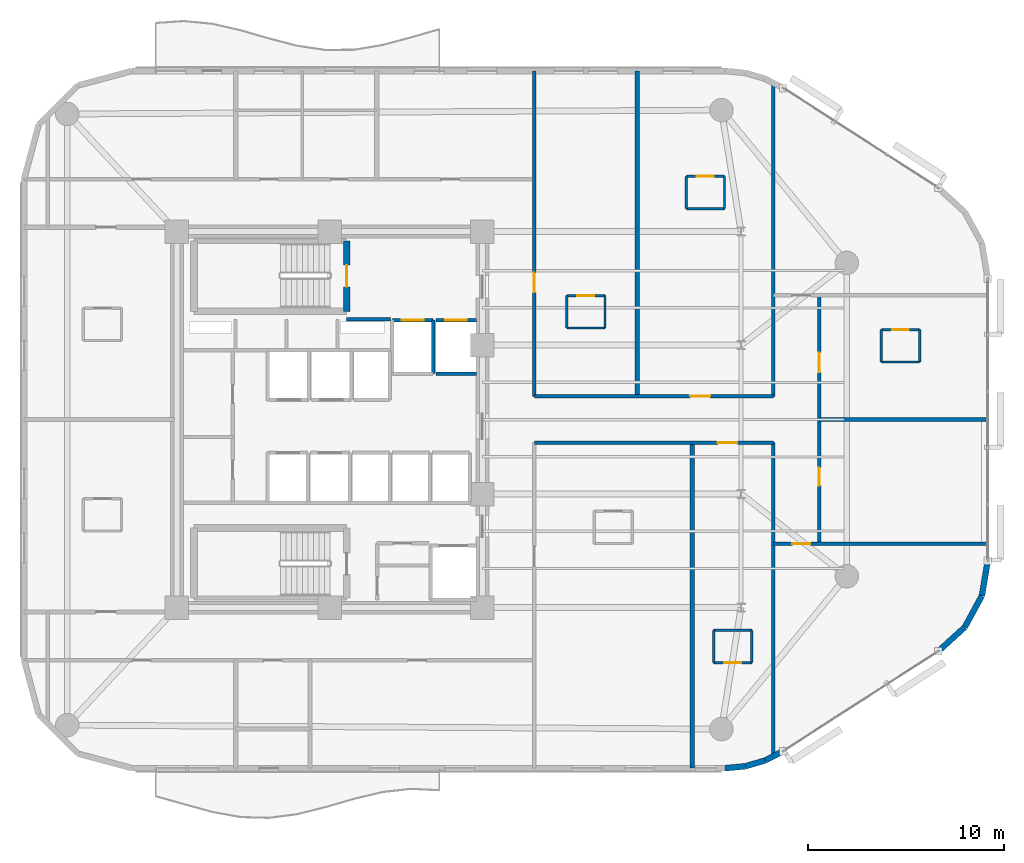
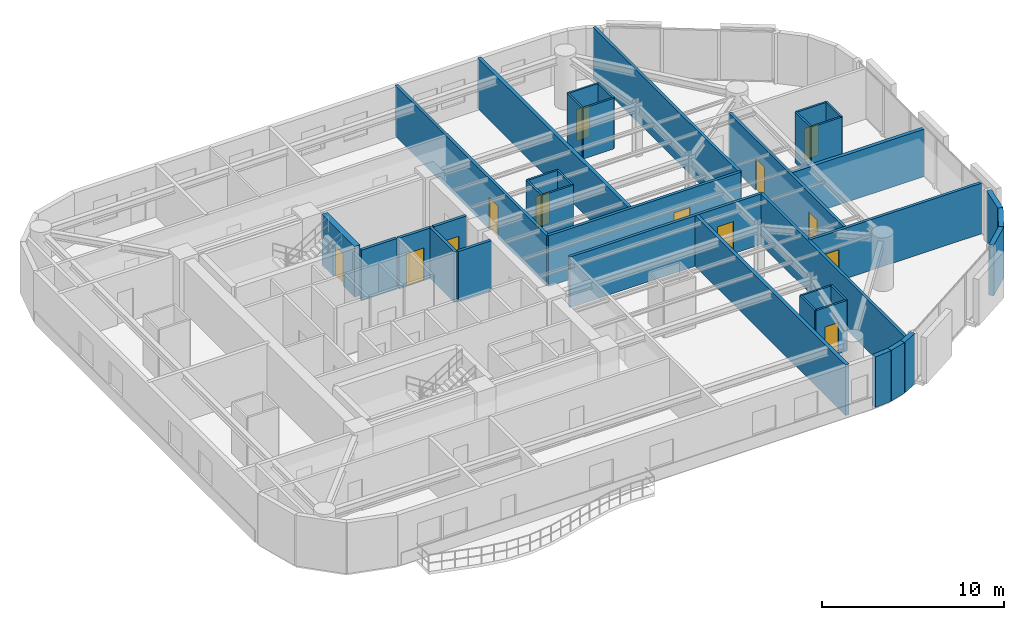
# One storey, part 12 of 15: 38 walls, 13 doors, 13 openings.
"""IFC4 building model written with IfcOpenShell, lengths in metres."""

from ifc_helpers import new_model, si_unit, direction, frame, frame_2d, origin, place, context, subcontext, project, spatial, rectangle, extrude, material, layer, layer_set, type_object, element, fill, save


model = new_model("IFC4")

# Units and contexts
model_context = context("Model", 3, precision=1e-05, world=origin(), true_north=direction((0.0, 1.0)))
body_context = subcontext(model_context, "Body", "Model", "MODEL_VIEW")
ifc_project = project(units=[si_unit("LENGTHUNIT", "METRE"), si_unit("AREAUNIT", "SQUARE_METRE"), si_unit("VOLUMEUNIT", "CUBIC_METRE"), si_unit("PLANEANGLEUNIT", "RADIAN"), si_unit("MASSUNIT", "GRAM", prefix="KILO")], contexts=[model_context])

# Site, building, storey
site_placement = place(None, origin())
site = spatial("IfcSite", under=ifc_project, at=site_placement, CompositionType="ELEMENT")
building_placement = place(site_placement, origin())
building = spatial("IfcBuilding", under=site, at=building_placement, Name="An Khanh Terracotta Commons", CompositionType="ELEMENT")
storey_placement = place(building_placement, frame((0.0, 0.0, 147.39990234375)))
storey = spatial("IfcBuildingStorey", under=building, at=storey_placement, Name="L38", CompositionType="ELEMENT", Elevation=147.39990234375)

# Wall
ifc_material_1 = material(Name="Fire-Rated Gypsum Board on Steel Stud", Category="steel")
ifc_layer_1 = layer(ifc_material_1, 0.179931640625, Name="Fire-Rated Gypsum Board on Steel Stud")
ifc_layer_set_1 = layer_set([ifc_layer_1], Name="Fire-Rated Gypsum Board on Steel Stud")
wall_type_1 = type_object("IfcWallType", Name="WALL-CORR-180", PredefinedType="PARTITIONING", material=ifc_layer_set_1)
wall_1_placement = place(storey_placement, frame((30.27001953125, 29.1201171875, 0.0), z_axis=(0.0, 0.0, 1.0), x_axis=(1.0, 0.0, 0.0)))
element("IfcWall", 1, at=wall_1_placement, inside=storey, type_object=wall_type_1, Name="L38 Core Wall FFLW-L38-S", PredefinedType="PARTITIONING", context=body_context, shape_type="SweptSolid", body=[
    extrude(rectangle(XDim=2.239990234375, YDim=0.179931640625, at=frame_2d((1.1201171875, 0.0))), origin(), (0.0, 0.0, 1.0), 3.400146484375),
])

# Wall, opening, door
wall_2_placement = place(storey_placement, frame((32.60009765625, 29.080078125, 0.0), z_axis=(0.0, 0.0, 1.0), x_axis=(1.0, 0.0, 0.0)))
wall_2 = element("IfcWall", 2, at=wall_2_placement, inside=storey, type_object=wall_type_1, Name="L38 Core Wall LSH-L38-FFL-01-N", PredefinedType="PARTITIONING", context=body_context, shape_type="SweptSolid", body=[
    extrude(rectangle(XDim=2.079833984375, YDim=0.179931640625, at=frame_2d((1.0400390625, 0.0))), origin(), (0.0, 0.0, 1.0), 3.400146484375),
])
opening_1_placement = place(wall_2_placement, frame((0.489990234375, 0.0, 0.0)))
opening_1 = element("IfcOpeningElement", 3, at=opening_1_placement, cuts=wall_2, Name="Opening LD-FFL-01-L38", PredefinedType="OPENING", context=body_context, shape_type="SweptSolid", body=[
    extrude(rectangle(XDim=1.10009765625, YDim=2.199951171875, at=frame_2d((0.550048828125, 1.10009765625))), frame((0.0, 0.099853515625, 0.0), z_axis=(0.0, -1.0, 0.0), x_axis=(1.0, 0.0, 0.0)), (0.0, 0.0, 1.0), 0.199951171875),
])
ifc_material_2 = material(Name="Brushed Stainless Steel Fire Landing Door", Category="steel")
door_type_1 = type_object("IfcDoorType", Name="DOOR-LD-FFL-1100", OperationType="NOTDEFINED", PredefinedType="DOOR", material=ifc_material_2)
door_1_placement = place(opening_1_placement, origin())
door_1 = element("IfcDoor", 4, at=door_1_placement, inside=storey, type_object=door_type_1, Name="L38 Lift FFL-01 Sliding Landing Door", OperationType="DOUBLE_DOOR_SLIDING", OverallHeight=2.199951171875, OverallWidth=1.10009765625, PredefinedType="DOOR", context=body_context, shape_type="SweptSolid", body=[
    extrude(rectangle(XDim=1.10009765625, YDim=2.199951171875, at=frame_2d((0.550048828125, 1.10009765625))), frame((0.0, 0.02490234375, 0.0), z_axis=(0.0, -1.0, 0.0), x_axis=(1.0, 0.0, 0.0)), (0.0, 0.0, 1.0), 0.050048828125),
])
fill(opening_1, door_1)

# Wall
wall_3_placement = place(storey_placement, frame((34.679931640625, 26.35009765625, 0.0), z_axis=(0.0, 0.0, 1.0), x_axis=(0.0, 1.0, 0.0)))
element("IfcWall", 5, at=wall_3_placement, inside=storey, type_object=wall_type_1, Name="L38 Core Wall LSH-L38-FFL-01-E", PredefinedType="PARTITIONING", context=body_context, shape_type="SweptSolid", body=[
    extrude(rectangle(XDim=2.72998046875, YDim=0.179931640625, at=frame_2d((1.364990234375, 0.0))), origin(), (0.0, 0.0, 1.0), 3.400146484375),
])

# Wall, opening, door
wall_4_placement = place(storey_placement, frame((34.820068359375, 29.080078125, 0.0), z_axis=(0.0, 0.0, 1.0), x_axis=(1.0, 0.0, 0.0)))
wall_4 = element("IfcWall", 6, at=wall_4_placement, inside=storey, type_object=wall_type_1, Name="L38 Core Wall LSH-L38-FFL-02-N", PredefinedType="PARTITIONING", context=body_context, shape_type="SweptSolid", body=[
    extrude(rectangle(XDim=2.079833984375, YDim=0.179931640625, at=frame_2d((1.0400390625, 0.0))), origin(), (0.0, 0.0, 1.0), 3.400146484375),
])
opening_2_placement = place(wall_4_placement, frame((0.489990234375, 0.0, 0.0)))
opening_2 = element("IfcOpeningElement", 7, at=opening_2_placement, cuts=wall_4, Name="Opening LD-FFL-02-L38", PredefinedType="OPENING", context=body_context, shape_type="SweptSolid", body=[
    extrude(rectangle(XDim=1.10009765625, YDim=2.199951171875, at=frame_2d((0.550048828125, 1.10009765625))), frame((0.0, 0.099853515625, 0.0), z_axis=(0.0, -1.0, 0.0), x_axis=(1.0, 0.0, 0.0)), (0.0, 0.0, 1.0), 0.199951171875),
])
door_2_placement = place(opening_2_placement, origin())
door_2 = element("IfcDoor", 8, at=door_2_placement, inside=storey, type_object=door_type_1, Name="L38 Lift FFL-02 Sliding Landing Door", OperationType="DOUBLE_DOOR_SLIDING", OverallHeight=2.199951171875, OverallWidth=1.10009765625, PredefinedType="DOOR", context=body_context, shape_type="SweptSolid", body=[
    extrude(rectangle(XDim=1.10009765625, YDim=2.199951171875, at=frame_2d((0.550048828125, 1.10009765625))), frame((0.0, 0.02490234375, 0.0), z_axis=(0.0, -1.0, 0.0), x_axis=(1.0, 0.0, 0.0)), (0.0, 0.0, 1.0), 0.050048828125),
])
fill(opening_2, door_2)

# Wall
wall_5_placement = place(storey_placement, frame((36.89990234375, 26.35009765625, 0.0), z_axis=(0.0, 0.0, 1.0), x_axis=(-1.0, 0.0, 0.0)))
element("IfcWall", 9, at=wall_5_placement, inside=storey, type_object=wall_type_1, Name="L38 Core Wall LSH-L38-FFL-02-S", PredefinedType="PARTITIONING", context=body_context, shape_type="SweptSolid", body=[
    extrude(rectangle(XDim=2.079833984375, YDim=0.179931640625, at=frame_2d((1.0400390625, 0.0))), origin(), (0.0, 0.0, 1.0), 3.400146484375),
])

# Wall, opening, door
wall_6_placement = place(storey_placement, frame((52.050048828125, 17.64990234375, 0.0), z_axis=(0.0, 0.0, 1.0), x_axis=(1.0, 0.0, 0.0)))
wall_6 = element("IfcWall", 10, at=wall_6_placement, inside=storey, type_object=wall_type_1, Name="L38 Interior Partition IW-L38-E004", PredefinedType="PARTITIONING", context=body_context, shape_type="SweptSolid", body=[
    extrude(rectangle(XDim=10.949951171875, YDim=0.179931640625, at=frame_2d((5.47509765625, 0.0))), origin(), (0.0, 0.0, 1.0), 3.400146484375),
])
opening_3_placement = place(wall_6_placement, frame((0.97509765625, 0.0, 0.0)))
opening_3 = element("IfcOpeningElement", 11, at=opening_3_placement, cuts=wall_6, Name="Opening D-RM", PredefinedType="OPENING", context=body_context, shape_type="SweptSolid", body=[
    extrude(rectangle(XDim=0.919921875, YDim=2.10009765625, at=frame_2d((0.4599609375, 1.050048828125))), frame((0.0, 0.099853515625, 0.0), z_axis=(0.0, -1.0, 0.0), x_axis=(1.0, 0.0, 0.0)), (0.0, 0.0, 1.0), 0.199951171875),
])
ifc_material_3 = material(Name="Engineered Hardwood Timber Leaf", Category="wood")
door_type_2 = type_object("IfcDoorType", Name="DOOR-INT-920", OperationType="NOTDEFINED", PredefinedType="DOOR", material=ifc_material_3)
door_3_placement = place(opening_3_placement, origin())
door_3 = element("IfcDoor", 12, at=door_3_placement, inside=storey, type_object=door_type_2, Name="L38 CAPS Quiet Focus Office Door", OperationType="SINGLE_SWING_RIGHT", OverallHeight=2.10009765625, OverallWidth=0.919921875, PredefinedType="DOOR", context=body_context, shape_type="SweptSolid", body=[
    extrude(rectangle(XDim=0.919921875, YDim=2.10009765625, at=frame_2d((0.4599609375, 1.050048828125))), frame((0.0, 0.02490234375, 0.0), z_axis=(0.0, -1.0, 0.0), x_axis=(1.0, 0.0, 0.0)), (0.0, 0.0, 1.0), 0.050048828125),
])
fill(opening_3, door_3)

wall_7_placement = place(storey_placement, frame((39.85009765625, 22.820068359375, 0.0), z_axis=(0.0, 0.0, 1.0), x_axis=(1.0, 0.0, 0.0)))
wall_7 = element("IfcWall", 13, at=wall_7_placement, inside=storey, type_object=wall_type_1, Name="L38 Interior Partition IW-L38-E005", PredefinedType="PARTITIONING", context=body_context, shape_type="SweptSolid", body=[
    extrude(rectangle(XDim=12.199951171875, YDim=0.179931640625, at=frame_2d((6.10009765625, 0.0))), origin(), (0.0, 0.0, 1.0), 3.400146484375),
])
opening_4_placement = place(wall_7_placement, frame((9.365966796875, 0.0, 0.0)))
opening_4 = element("IfcOpeningElement", 14, at=opening_4_placement, cuts=wall_7, Name="Opening D-UN", PredefinedType="OPENING", context=body_context, shape_type="SweptSolid", body=[
    extrude(rectangle(XDim=1.0, YDim=2.14990234375, at=frame_2d((0.5, 1.074951171875))), frame((0.0, 0.099853515625, 0.0), z_axis=(0.0, -1.0, 0.0), x_axis=(1.0, 0.0, 0.0)), (0.0, 0.0, 1.0), 0.199951171875),
])
ifc_material_4 = material(Name="Solid-Core Hardwood Acoustic Fire Door", Category="wood")
door_type_3 = type_object("IfcDoorType", Name="DOOR-UNIT-1000", OperationType="NOTDEFINED", PredefinedType="DOOR", material=ifc_material_4)
door_4_placement = place(opening_4_placement, origin())
door_4 = element("IfcDoor", 15, at=door_4_placement, inside=storey, type_object=door_type_3, Name="L38 SB2 Kitchenette and Studio Apartment Door", OperationType="SINGLE_SWING_RIGHT", OverallHeight=2.14990234375, OverallWidth=1.0, PredefinedType="DOOR", context=body_context, shape_type="SweptSolid", body=[
    extrude(rectangle(XDim=1.0, YDim=2.14990234375, at=frame_2d((0.5, 1.074951171875))), frame((0.0, 0.02490234375, 0.0), z_axis=(0.0, -1.0, 0.0), x_axis=(1.0, 0.0, 0.0)), (0.0, 0.0, 1.0), 0.050048828125),
])
fill(opening_4, door_4)

wall_8_placement = place(storey_placement, frame((39.85009765625, 25.179931640625, 0.0), z_axis=(0.0, 0.0, 1.0), x_axis=(1.0, 0.0, 0.0)))
wall_8 = element("IfcWall", 16, at=wall_8_placement, inside=storey, type_object=wall_type_1, Name="L38 Interior Partition IW-L38-E008", PredefinedType="PARTITIONING", context=body_context, shape_type="SweptSolid", body=[
    extrude(rectangle(XDim=12.199951171875, YDim=0.179931640625, at=frame_2d((6.10009765625, 0.0))), origin(), (0.0, 0.0, 1.0), 3.400146484375),
])
opening_5_placement = place(wall_8_placement, frame((7.969970703125, 0.0, 0.0)))
opening_5 = element("IfcOpeningElement", 17, at=opening_5_placement, cuts=wall_8, Name="Opening D-UN", PredefinedType="OPENING", context=body_context, shape_type="SweptSolid", body=[
    extrude(rectangle(XDim=1.0, YDim=2.14990234375, at=frame_2d((0.5, 1.074951171875))), frame((0.0, 0.099853515625, 0.0), z_axis=(0.0, -1.0, 0.0), x_axis=(1.0, 0.0, 0.0)), (0.0, 0.0, 1.0), 0.199951171875),
])
door_5_placement = place(opening_5_placement, origin())
door_5 = element("IfcDoor", 18, at=door_5_placement, inside=storey, type_object=door_type_3, Name="L38 NB2 Kitchenette and Studio Apartment Door", OperationType="SINGLE_SWING_RIGHT", OverallHeight=2.14990234375, OverallWidth=1.0, PredefinedType="DOOR", context=body_context, shape_type="SweptSolid", body=[
    extrude(rectangle(XDim=1.0, YDim=2.14990234375, at=frame_2d((0.5, 1.074951171875))), frame((0.0, 0.02490234375, 0.0), z_axis=(0.0, -1.0, 0.0), x_axis=(1.0, 0.0, 0.0)), (0.0, 0.0, 1.0), 0.050048828125),
])
fill(opening_5, door_5)

wall_9_placement = place(storey_placement, frame((39.85009765625, 25.179931640625, 0.0), z_axis=(0.0, 0.0, 1.0), x_axis=(0.0, 1.0, 0.0)))
wall_9 = element("IfcWall", 19, at=wall_9_placement, inside=storey, type_object=wall_type_1, Name="L38 Interior Partition IW-L38-E021", PredefinedType="PARTITIONING", context=body_context, shape_type="SweptSolid", body=[
    extrude(rectangle(XDim=16.6201171875, YDim=0.179931640625, at=frame_2d((8.31005859375, 0.0))), origin(), (0.0, 0.0, 1.0), 3.400146484375),
])
opening_6_placement = place(wall_9_placement, frame((5.31005859375, 0.0, 0.0)))
opening_6 = element("IfcOpeningElement", 20, at=opening_6_placement, cuts=wall_9, Name="Opening D-UN", PredefinedType="OPENING", context=body_context, shape_type="SweptSolid", body=[
    extrude(rectangle(XDim=1.0, YDim=2.14990234375, at=frame_2d((0.5, 1.074951171875))), frame((0.0, 0.099853515625, 0.0), z_axis=(0.0, -1.0, 0.0), x_axis=(1.0, 0.0, 0.0)), (0.0, 0.0, 1.0), 0.199951171875),
])
door_6_placement = place(opening_6_placement, origin())
door_6 = element("IfcDoor", 21, at=door_6_placement, inside=storey, type_object=door_type_3, Name="L38 NB1 Kitchenette and Studio Apartment Door", OperationType="SINGLE_SWING_LEFT", OverallHeight=2.14990234375, OverallWidth=1.0, PredefinedType="DOOR", context=body_context, shape_type="SweptSolid", body=[
    extrude(rectangle(XDim=1.0, YDim=2.14990234375, at=frame_2d((0.5, 1.074951171875))), frame((0.0, 0.02490234375, 0.0), z_axis=(0.0, -1.0, 0.0), x_axis=(1.0, 0.0, 0.0)), (0.0, 0.0, 1.0), 0.050048828125),
])
fill(opening_6, door_6)

# Walls
for number, where, z_axis, x_axis, name in (
    (22, (52.050048828125, 6.81201171875, 0.0), (0.0, 0.0, 1.0), (0.0, 1.0, 0.0), "L38 Interior Partition IW-L38-E024"),
    (23, (52.050048828125, 25.179931640625, 0.0), (0.0, 0.0, 1.0), (0.0, 1.0, 0.0), "L38 Interior Partition IW-L38-E025"),
):
    element("IfcWall", number, at=place(storey_placement, frame(where, z_axis=z_axis, x_axis=x_axis)), inside=storey, type_object=wall_type_1, Name=name, PredefinedType="PARTITIONING", context=body_context, shape_type="SweptSolid", body=[
        extrude(rectangle(XDim=16.008056640625, YDim=0.179931640625, at=frame_2d((8.00390625, 0.0))), origin(), (0.0, 0.0, 1.0), 3.400146484375),
    ])

# Wall, openings, doors
wall_10_placement = place(storey_placement, frame((54.39990234375, 17.64990234375, 0.0), z_axis=(0.0, 0.0, 1.0), x_axis=(0.0, 1.0, 0.0)))
wall_10 = element("IfcWall", 24, at=wall_10_placement, inside=storey, type_object=wall_type_1, Name="L38 Interior Partition IW-L38-E026", PredefinedType="PARTITIONING", context=body_context, shape_type="SweptSolid", body=[
    extrude(rectangle(XDim=12.7001953125, YDim=0.179931640625, at=frame_2d((6.35009765625, 0.0))), origin(), (0.0, 0.0, 1.0), 3.400146484375),
])
opening_7_placement = place(wall_10_placement, frame((8.764892578125, 0.0, 0.0)))
opening_7 = element("IfcOpeningElement", 25, at=opening_7_placement, cuts=wall_10, Name="Opening D-UN", PredefinedType="OPENING", context=body_context, shape_type="SweptSolid", body=[
    extrude(rectangle(XDim=1.0, YDim=2.14990234375, at=frame_2d((0.5, 1.074951171875))), frame((0.0, 0.099853515625, 0.0), z_axis=(0.0, -1.0, 0.0), x_axis=(1.0, 0.0, 0.0)), (0.0, 0.0, 1.0), 0.199951171875),
])
opening_8_placement = place(wall_10_placement, frame((2.97509765625, 0.0, 0.0)))
opening_8 = element("IfcOpeningElement", 26, at=opening_8_placement, cuts=wall_10, Name="Opening D-RM", PredefinedType="OPENING", context=body_context, shape_type="SweptSolid", body=[
    extrude(rectangle(XDim=0.919921875, YDim=2.10009765625, at=frame_2d((0.4599609375, 1.050048828125))), frame((0.0, 0.099853515625, 0.0), z_axis=(0.0, -1.0, 0.0), x_axis=(1.0, 0.0, 0.0)), (0.0, 0.0, 1.0), 0.199951171875),
])
door_7_placement = place(opening_8_placement, origin())
door_7 = element("IfcDoor", 27, at=door_7_placement, inside=storey, type_object=door_type_2, Name="L38 EF2 Riverfront Study Lounge Door", OperationType="SINGLE_SWING_RIGHT", OverallHeight=2.10009765625, OverallWidth=0.919921875, PredefinedType="DOOR", context=body_context, shape_type="SweptSolid", body=[
    extrude(rectangle(XDim=0.919921875, YDim=2.10009765625, at=frame_2d((0.4599609375, 1.050048828125))), frame((0.0, 0.02490234375, 0.0), z_axis=(0.0, -1.0, 0.0), x_axis=(1.0, 0.0, 0.0)), (0.0, 0.0, 1.0), 0.050048828125),
])
fill(opening_8, door_7)
door_8_placement = place(opening_7_placement, origin())
door_8 = element("IfcDoor", 28, at=door_8_placement, inside=storey, type_object=door_type_3, Name="L38 EF1 Kitchenette and Studio Apartment Door", OperationType="SINGLE_SWING_LEFT", OverallHeight=2.14990234375, OverallWidth=1.0, PredefinedType="DOOR", context=body_context, shape_type="SweptSolid", body=[
    extrude(rectangle(XDim=1.0, YDim=2.14990234375, at=frame_2d((0.5, 1.074951171875))), frame((0.0, 0.02490234375, 0.0), z_axis=(0.0, -1.0, 0.0), x_axis=(1.0, 0.0, 0.0)), (0.0, 0.0, 1.0), 0.050048828125),
])
fill(opening_7, door_8)

# Walls
ifc_material_5 = material(Name="Precast concrete C40/50", Category="concrete")
ifc_layer_2 = layer(ifc_material_5, 0.300048828125, Name="Precast concrete C40/50")
ifc_layer_set_2 = layer_set([ifc_layer_2], Name="Precast concrete C40/50")
wall_type_2 = type_object("IfcWallType", Name="WALL-EXT-300", PredefinedType="SOLIDWALL", material=ifc_layer_set_2)
wall_11_placement = place(storey_placement, frame((49.58203125, 6.199951171875, 0.0), z_axis=(0.0, 0.0, 1.0), x_axis=(0.995426089968, 0.095534807324, 0.0)))
element("IfcWall", 29, at=wall_11_placement, inside=storey, type_object=wall_type_2, Name="L38 Insulated Terracotta Exterior Wall 5", PredefinedType="SOLIDWALL", context=body_context, shape_type="SweptSolid", body=[
    extrude(rectangle(XDim=1.0478515625, YDim=0.300048828125, at=frame_2d((0.52392578125, 0.0))), origin(), (0.0, 0.0, 1.0), 3.400146484375),
])
wall_12_placement = place(storey_placement, frame((50.625, 6.300048828125, 0.0), z_axis=(0.0, 0.0, 1.0), x_axis=(0.959528674476, 0.281610942363, 0.0)))
element("IfcWall", 30, at=wall_12_placement, inside=storey, type_object=wall_type_2, Name="L38 Insulated Terracotta Exterior Wall 6", PredefinedType="SOLIDWALL", context=body_context, shape_type="SweptSolid", body=[
    extrude(rectangle(XDim=1.04736328125, YDim=0.300048828125, at=frame_2d((0.523681640625, 0.0))), origin(), (0.0, 0.0, 1.0), 3.400146484375),
])
wall_13_placement = place(storey_placement, frame((51.6298828125, 6.594970703125, 0.0), z_axis=(0.0, 0.0, 1.0), x_axis=(0.888283247196, 0.459296062198, 0.0)))
element("IfcWall", 31, at=wall_13_placement, inside=storey, type_object=wall_type_2, Name="L38 Insulated Terracotta Exterior Wall 7", PredefinedType="SOLIDWALL", context=body_context, shape_type="SweptSolid", body=[
    extrude(rectangle(XDim=1.047119140625, YDim=0.300048828125, at=frame_2d((0.5234375, 0.0))), origin(), (0.0, 0.0, 1.0), 3.400146484375),
])
wall_14_placement = place(storey_placement, frame((60.47802734375, 12.176025390625, 0.0), z_axis=(0.0, 0.0, 1.0), x_axis=(0.73947929393, 0.673179302897, 0.0)))
element("IfcWall", 32, at=wall_14_placement, inside=storey, type_object=wall_type_2, Name="L38 Insulated Terracotta Exterior Wall 9", PredefinedType="SOLIDWALL", context=body_context, shape_type="SweptSolid", body=[
    extrude(rectangle(XDim=1.82275390625, YDim=0.300048828125, at=frame_2d((0.911376953125, 0.0))), origin(), (0.0, 0.0, 1.0), 3.400146484375),
])
wall_15_placement = place(storey_placement, frame((61.825927734375, 13.403076171875, 0.0), z_axis=(0.0, 0.0, 1.0), x_axis=(0.478608030646, 0.878028674362, 0.0)))
element("IfcWall", 33, at=wall_15_placement, inside=storey, type_object=wall_type_2, Name="L38 Insulated Terracotta Exterior Wall 10", PredefinedType="SOLIDWALL", context=body_context, shape_type="SweptSolid", body=[
    extrude(rectangle(XDim=1.822021484375, YDim=0.300048828125, at=frame_2d((0.9111328125, 0.0))), origin(), (0.0, 0.0, 1.0), 3.400146484375),
])
wall_16_placement = place(storey_placement, frame((62.697998046875, 15.0029296875, 0.0), z_axis=(0.0, 0.0, 1.0), x_axis=(0.165724081207, 0.986172159873, 0.0)))
element("IfcWall", 34, at=wall_16_placement, inside=storey, type_object=wall_type_2, Name="L38 Insulated Terracotta Exterior Wall 11", PredefinedType="SOLIDWALL", context=body_context, shape_type="SweptSolid", body=[
    extrude(rectangle(XDim=1.822265625, YDim=0.300048828125, at=frame_2d((0.9111328125, 0.0))), origin(), (0.0, 0.0, 1.0), 3.400146484375),
])
ifc_material_6 = material(Name="Acoustic Double-Stud Gypsum and Mineral Wool")
ifc_layer_3 = layer(ifc_material_6, 0.219970703125, Name="Acoustic Double-Stud Gypsum and Mineral Wool")
ifc_layer_set_3 = layer_set([ifc_layer_3], Name="Acoustic Double-Stud Gypsum and Mineral Wool")
wall_type_3 = type_object("IfcWallType", Name="WALL-PARTY-220", PredefinedType="PARTITIONING", material=ifc_layer_set_3)
wall_17_placement = place(storey_placement, frame((54.39990234375, 24.0, 0.0), z_axis=(0.0, 0.0, 1.0), x_axis=(1.0, 0.0, 0.0)))
element("IfcWall", 35, at=wall_17_placement, inside=storey, type_object=wall_type_3, Name="L38 Interior Partition IW-L38-E007", PredefinedType="PARTITIONING", context=body_context, shape_type="SweptSolid", body=[
    extrude(rectangle(XDim=8.60009765625, YDim=0.219970703125, at=frame_2d((4.300048828125, 0.0))), origin(), (0.0, 0.0, 1.0), 3.18212890625),
])
for number, where, z_axis, x_axis, name in (
    (36, (45.10888671875, 25.179931640625, 0.0), (0.0, 0.0, 1.0), (0.0, 1.0, 0.0), "L38 Interior Partition IW-L38-E022"),
    (37, (47.902099609375, 6.199951171875, 0.0), (0.0, 0.0, 1.0), (0.0, 1.0, 0.0), "L38 Interior Partition IW-L38-E023"),
):
    element("IfcWall", number, at=place(storey_placement, frame(where, z_axis=z_axis, x_axis=x_axis)), inside=storey, type_object=wall_type_3, Name=name, PredefinedType="PARTITIONING", context=body_context, shape_type="SweptSolid", body=[
        extrude(rectangle(XDim=16.6201171875, YDim=0.219970703125, at=frame_2d((8.31005859375, 0.0))), origin(), (0.0, 0.0, 1.0), 3.400146484375),
    ])

# Wall, opening, door
ifc_material_7 = material(Name="Concrete C50/60", Category="concrete")
ifc_layer_4 = layer(ifc_material_7, 0.35009765625, Name="Concrete C50/60")
ifc_layer_set_4 = layer_set([ifc_layer_4], Name="Concrete C50/60")
wall_type_4 = type_object("IfcWallType", Name="WALL-SHAFT-350", PredefinedType="SOLIDWALL", material=ifc_layer_set_4)
wall_18_placement = place(storey_placement, frame((30.27001953125, 29.530029296875, 0.0), z_axis=(0.0, 0.0, 1.0), x_axis=(0.0, 1.0, 0.0)))
wall_18 = element("IfcWall", 38, at=wall_18_placement, inside=storey, type_object=wall_type_4, Name="L38 Core Wall STW-L38-N-E", PredefinedType="SOLIDWALL", context=body_context, shape_type="SweptSolid", body=[
    extrude(rectangle(XDim=3.580078125, YDim=0.35009765625, at=frame_2d((1.7900390625, 0.0))), origin(), (0.0, 0.0, 1.0), 3.400146484375),
])
opening_9_placement = place(wall_18_placement, frame((1.25, 0.0, 0.0)))
opening_9 = element("IfcOpeningElement", 39, at=opening_9_placement, cuts=wall_18, Name="Opening D-ST", PredefinedType="OPENING", context=body_context, shape_type="SweptSolid", body=[
    extrude(rectangle(XDim=1.10009765625, YDim=2.14990234375, at=frame_2d((0.550048828125, 1.074951171875))), frame((0.0, 0.18505859375, 0.0), z_axis=(0.0, -1.0, 0.0), x_axis=(1.0, 0.0, 0.0)), (0.0, 0.0, 1.0), 0.3701171875),
])
ifc_material_8 = material(Name="Fire-Rated Steel Leaf and Frame", Category="steel")
door_type_4 = type_object("IfcDoorType", Name="DOOR-STAIR-1100", OperationType="NOTDEFINED", PredefinedType="DOOR", material=ifc_material_8)
door_9_placement = place(opening_9_placement, origin())
door_9 = element("IfcDoor", 40, at=door_9_placement, inside=storey, type_object=door_type_4, Name="L38 Stair ST-01 Fire Door", OperationType="SINGLE_SWING_LEFT", OverallHeight=2.14990234375, OverallWidth=1.10009765625, PredefinedType="DOOR", context=body_context, shape_type="SweptSolid", body=[
    extrude(rectangle(XDim=1.10009765625, YDim=2.14990234375, at=frame_2d((0.550048828125, 1.074951171875))), frame((0.0, 0.02490234375, 0.0), z_axis=(0.0, -1.0, 0.0), x_axis=(1.0, 0.0, 0.0)), (0.0, 0.0, 1.0), 0.050048828125),
])
fill(opening_9, door_9)

ifc_material_9 = material(Name="Moisture-Resistant Cement Board Partition")
ifc_layer_5 = layer(ifc_material_9, 0.1201171875, Name="Moisture-Resistant Cement Board Partition")
ifc_layer_set_5 = layer_set([ifc_layer_5], Name="Moisture-Resistant Cement Board Partition")
wall_type_5 = type_object("IfcWallType", Name="WALL-WET-120", PredefinedType="PARTITIONING", material=ifc_layer_set_5)
wall_19_placement = place(storey_placement, frame((41.5048828125, 30.324951171875, 0.0), z_axis=(0.0, 0.0, 1.0), x_axis=(1.0, 0.0, 0.0)))
wall_19 = element("IfcWall", 41, at=wall_19_placement, inside=storey, type_object=wall_type_5, Name="L38 Interior Partition IW-L38-NB1-BN", PredefinedType="PARTITIONING", context=body_context, shape_type="SweptSolid", body=[
    extrude(rectangle(XDim=1.9501953125, YDim=0.1201171875, at=frame_2d((0.97509765625, 0.0))), origin(), (0.0, 0.0, 1.0), 3.400146484375),
])
opening_10_placement = place(wall_19_placement, frame((0.544921875, 0.0, 0.0)))
opening_10 = element("IfcOpeningElement", 42, at=opening_10_placement, cuts=wall_19, Name="Opening D-ENS", PredefinedType="OPENING", context=body_context, shape_type="SweptSolid", body=[
    extrude(rectangle(XDim=0.860107421875, YDim=2.10009765625, at=frame_2d((0.43017578125, 1.050048828125))), frame((0.0, 0.070068359375, 0.0), z_axis=(0.0, -1.0, 0.0), x_axis=(1.0, 0.0, 0.0)), (0.0, 0.0, 1.0), 0.14013671875),
])
ifc_material_10 = material(Name="Moisture-Resistant Hardwood Timber Leaf", Category="wood")
door_type_5 = type_object("IfcDoorType", Name="DOOR-BATH-860", OperationType="NOTDEFINED", PredefinedType="DOOR", material=ifc_material_10)
door_10_placement = place(opening_10_placement, origin())
door_10 = element("IfcDoor", 43, at=door_10_placement, inside=storey, type_object=door_type_5, Name="L38 Studio NB1 En-suite Door", OperationType="SINGLE_SWING_LEFT", OverallHeight=2.10009765625, OverallWidth=0.860107421875, PredefinedType="DOOR", context=body_context, shape_type="SweptSolid", body=[
    extrude(rectangle(XDim=0.860107421875, YDim=2.10009765625, at=frame_2d((0.43017578125, 1.050048828125))), frame((0.0, 0.02490234375, 0.0), z_axis=(0.0, -1.0, 0.0), x_axis=(1.0, 0.0, 0.0)), (0.0, 0.0, 1.0), 0.050048828125),
])
fill(opening_10, door_10)

# Walls
wall_20_placement = place(storey_placement, frame((43.455078125, 28.675048828125, 0.0), z_axis=(0.0, 0.0, 1.0), x_axis=(-1.0, 0.0, 0.0)))
element("IfcWall", 44, at=wall_20_placement, inside=storey, type_object=wall_type_5, Name="L38 Interior Partition IW-L38-NB1-BS", PredefinedType="PARTITIONING", context=body_context, shape_type="SweptSolid", body=[
    extrude(rectangle(XDim=1.9501953125, YDim=0.1201171875, at=frame_2d((0.97509765625, 0.0))), origin(), (0.0, 0.0, 1.0), 3.400146484375),
])
for number, where, z_axis, x_axis, name in (
    (45, (41.5048828125, 30.324951171875, 0.0), (0.0, 0.0, 1.0), (0.0, -1.0, 0.0), "L38 Interior Partition IW-L38-NB1-BW"),
    (46, (43.455078125, 28.675048828125, 0.0), (0.0, 0.0, 1.0), (0.0, 1.0, 0.0), "L38 Interior Partition IW-L38-NB1-BE"),
):
    element("IfcWall", number, at=place(storey_placement, frame(where, z_axis=z_axis, x_axis=x_axis)), inside=storey, type_object=wall_type_5, Name=name, PredefinedType="PARTITIONING", context=body_context, shape_type="SweptSolid", body=[
        extrude(rectangle(XDim=1.64990234375, YDim=0.1201171875, at=frame_2d((0.824951171875, 0.0))), origin(), (0.0, 0.0, 1.0), 3.400146484375),
    ])

# Wall, opening, door
wall_21_placement = place(storey_placement, frame((47.60400390625, 36.4140625, 0.0), z_axis=(0.0, 0.0, 1.0), x_axis=(1.0, 0.0, 0.0)))
wall_21 = element("IfcWall", 47, at=wall_21_placement, inside=storey, type_object=wall_type_5, Name="L38 Interior Partition IW-L38-NB2-BN", PredefinedType="PARTITIONING", context=body_context, shape_type="SweptSolid", body=[
    extrude(rectangle(XDim=1.949951171875, YDim=0.1201171875, at=frame_2d((0.97509765625, 0.0))), origin(), (0.0, 0.0, 1.0), 3.400146484375),
])
opening_11_placement = place(wall_21_placement, frame((0.544921875, 0.0, 0.0)))
opening_11 = element("IfcOpeningElement", 48, at=opening_11_placement, cuts=wall_21, Name="Opening D-ENS", PredefinedType="OPENING", context=body_context, shape_type="SweptSolid", body=[
    extrude(rectangle(XDim=0.860107421875, YDim=2.10009765625, at=frame_2d((0.43017578125, 1.050048828125))), frame((0.0, 0.070068359375, 0.0), z_axis=(0.0, -1.0, 0.0), x_axis=(1.0, 0.0, 0.0)), (0.0, 0.0, 1.0), 0.14013671875),
])
door_11_placement = place(opening_11_placement, origin())
door_11 = element("IfcDoor", 49, at=door_11_placement, inside=storey, type_object=door_type_5, Name="L38 Studio NB2 En-suite Door", OperationType="SINGLE_SWING_RIGHT", OverallHeight=2.10009765625, OverallWidth=0.860107421875, PredefinedType="DOOR", context=body_context, shape_type="SweptSolid", body=[
    extrude(rectangle(XDim=0.860107421875, YDim=2.10009765625, at=frame_2d((0.43017578125, 1.050048828125))), frame((0.0, 0.02490234375, 0.0), z_axis=(0.0, -1.0, 0.0), x_axis=(1.0, 0.0, 0.0)), (0.0, 0.0, 1.0), 0.050048828125),
])
fill(opening_11, door_11)

# Walls
wall_22_placement = place(storey_placement, frame((49.553955078125, 34.763916015625, 0.0), z_axis=(0.0, 0.0, 1.0), x_axis=(-1.0, 0.0, 0.0)))
element("IfcWall", 50, at=wall_22_placement, inside=storey, type_object=wall_type_5, Name="L38 Interior Partition IW-L38-NB2-BS", PredefinedType="PARTITIONING", context=body_context, shape_type="SweptSolid", body=[
    extrude(rectangle(XDim=1.949951171875, YDim=0.1201171875, at=frame_2d((0.97509765625, 0.0))), origin(), (0.0, 0.0, 1.0), 3.400146484375),
])
for number, where, z_axis, x_axis, name in (
    (51, (47.60400390625, 36.4140625, 0.0), (0.0, 0.0, 1.0), (0.0, -1.0, 0.0), "L38 Interior Partition IW-L38-NB2-BW"),
    (52, (49.553955078125, 34.763916015625, 0.0), (0.0, 0.0, 1.0), (0.0, 1.0, 0.0), "L38 Interior Partition IW-L38-NB2-BE"),
):
    element("IfcWall", number, at=place(storey_placement, frame(where, z_axis=z_axis, x_axis=x_axis)), inside=storey, type_object=wall_type_5, Name=name, PredefinedType="PARTITIONING", context=body_context, shape_type="SweptSolid", body=[
        extrude(rectangle(XDim=1.650146484375, YDim=0.1201171875, at=frame_2d((0.8251953125, 0.0))), origin(), (0.0, 0.0, 1.0), 3.400146484375),
    ])
wall_23_placement = place(storey_placement, frame((49.0009765625, 13.236083984375, 0.0), z_axis=(0.0, 0.0, 1.0), x_axis=(1.0, 0.0, 0.0)))
element("IfcWall", 53, at=wall_23_placement, inside=storey, type_object=wall_type_5, Name="L38 Interior Partition IW-L38-SB2-BN", PredefinedType="PARTITIONING", context=body_context, shape_type="SweptSolid", body=[
    extrude(rectangle(XDim=1.949951171875, YDim=0.1201171875, at=frame_2d((0.97509765625, 0.0))), origin(), (0.0, 0.0, 1.0), 3.400146484375),
])

# Wall, opening, door
wall_24_placement = place(storey_placement, frame((50.950927734375, 11.5859375, 0.0), z_axis=(0.0, 0.0, 1.0), x_axis=(-1.0, 0.0, 0.0)))
wall_24 = element("IfcWall", 54, at=wall_24_placement, inside=storey, type_object=wall_type_5, Name="L38 Interior Partition IW-L38-SB2-BS", PredefinedType="PARTITIONING", context=body_context, shape_type="SweptSolid", body=[
    extrude(rectangle(XDim=1.949951171875, YDim=0.1201171875, at=frame_2d((0.97509765625, 0.0))), origin(), (0.0, 0.0, 1.0), 3.400146484375),
])
opening_12_placement = place(wall_24_placement, frame((0.544921875, 0.0, 0.0)))
opening_12 = element("IfcOpeningElement", 55, at=opening_12_placement, cuts=wall_24, Name="Opening D-ENS", PredefinedType="OPENING", context=body_context, shape_type="SweptSolid", body=[
    extrude(rectangle(XDim=0.860107421875, YDim=2.10009765625, at=frame_2d((0.43017578125, 1.050048828125))), frame((0.0, 0.070068359375, 0.0), z_axis=(0.0, -1.0, 0.0), x_axis=(1.0, 0.0, 0.0)), (0.0, 0.0, 1.0), 0.14013671875),
])
door_12_placement = place(opening_12_placement, origin())
door_12 = element("IfcDoor", 56, at=door_12_placement, inside=storey, type_object=door_type_5, Name="L38 Studio SB2 En-suite Door", OperationType="SINGLE_SWING_RIGHT", OverallHeight=2.10009765625, OverallWidth=0.860107421875, PredefinedType="DOOR", context=body_context, shape_type="SweptSolid", body=[
    extrude(rectangle(XDim=0.860107421875, YDim=2.10009765625, at=frame_2d((0.43017578125, 1.050048828125))), frame((0.0, 0.02490234375, 0.0), z_axis=(0.0, -1.0, 0.0), x_axis=(1.0, 0.0, 0.0)), (0.0, 0.0, 1.0), 0.050048828125),
])
fill(opening_12, door_12)

# Walls
for number, where, z_axis, x_axis, name in (
    (57, (49.0009765625, 13.236083984375, 0.0), (0.0, 0.0, 1.0), (0.0, -1.0, 0.0), "L38 Interior Partition IW-L38-SB2-BW"),
    (58, (50.950927734375, 11.5859375, 0.0), (0.0, 0.0, 1.0), (0.0, 1.0, 0.0), "L38 Interior Partition IW-L38-SB2-BE"),
):
    element("IfcWall", number, at=place(storey_placement, frame(where, z_axis=z_axis, x_axis=x_axis)), inside=storey, type_object=wall_type_5, Name=name, PredefinedType="PARTITIONING", context=body_context, shape_type="SweptSolid", body=[
        extrude(rectangle(XDim=1.650146484375, YDim=0.1201171875, at=frame_2d((0.8251953125, 0.0))), origin(), (0.0, 0.0, 1.0), 3.400146484375),
    ])

# Wall, opening, door
wall_25_placement = place(storey_placement, frame((57.56494140625, 28.590087890625, 0.0), z_axis=(0.0, 0.0, 1.0), x_axis=(1.0, 0.0, 0.0)))
wall_25 = element("IfcWall", 59, at=wall_25_placement, inside=storey, type_object=wall_type_5, Name="L38 Interior Partition IW-L38-EF1-BN", PredefinedType="PARTITIONING", context=body_context, shape_type="SweptSolid", body=[
    extrude(rectangle(XDim=1.949951171875, YDim=0.1201171875, at=frame_2d((0.97509765625, 0.0))), origin(), (0.0, 0.0, 1.0), 3.400146484375),
])
opening_13_placement = place(wall_25_placement, frame((0.544921875, 0.0, 0.0)))
opening_13 = element("IfcOpeningElement", 60, at=opening_13_placement, cuts=wall_25, Name="Opening D-ENS", PredefinedType="OPENING", context=body_context, shape_type="SweptSolid", body=[
    extrude(rectangle(XDim=0.860107421875, YDim=2.10009765625, at=frame_2d((0.43017578125, 1.050048828125))), frame((0.0, 0.070068359375, 0.0), z_axis=(0.0, -1.0, 0.0), x_axis=(1.0, 0.0, 0.0)), (0.0, 0.0, 1.0), 0.14013671875),
])
door_13_placement = place(opening_13_placement, origin())
door_13 = element("IfcDoor", 61, at=door_13_placement, inside=storey, type_object=door_type_5, Name="L38 Studio EF1 En-suite Door", OperationType="SINGLE_SWING_LEFT", OverallHeight=2.10009765625, OverallWidth=0.860107421875, PredefinedType="DOOR", context=body_context, shape_type="SweptSolid", body=[
    extrude(rectangle(XDim=0.860107421875, YDim=2.10009765625, at=frame_2d((0.43017578125, 1.050048828125))), frame((0.0, 0.02490234375, 0.0), z_axis=(0.0, -1.0, 0.0), x_axis=(1.0, 0.0, 0.0)), (0.0, 0.0, 1.0), 0.050048828125),
])
fill(opening_13, door_13)

# Walls
wall_26_placement = place(storey_placement, frame((59.514892578125, 26.93994140625, 0.0), z_axis=(0.0, 0.0, 1.0), x_axis=(-1.0, 0.0, 0.0)))
element("IfcWall", 62, at=wall_26_placement, inside=storey, type_object=wall_type_5, Name="L38 Interior Partition IW-L38-EF1-BS", PredefinedType="PARTITIONING", context=body_context, shape_type="SweptSolid", body=[
    extrude(rectangle(XDim=1.949951171875, YDim=0.1201171875, at=frame_2d((0.97509765625, 0.0))), origin(), (0.0, 0.0, 1.0), 3.400146484375),
])
for number, where, z_axis, x_axis, name in (
    (63, (57.56494140625, 28.590087890625, 0.0), (0.0, 0.0, 1.0), (0.0, -1.0, 0.0), "L38 Interior Partition IW-L38-EF1-BW"),
    (64, (59.514892578125, 26.93994140625, 0.0), (0.0, 0.0, 1.0), (0.0, 1.0, 0.0), "L38 Interior Partition IW-L38-EF1-BE"),
):
    element("IfcWall", number, at=place(storey_placement, frame(where, z_axis=z_axis, x_axis=x_axis)), inside=storey, type_object=wall_type_5, Name=name, PredefinedType="PARTITIONING", context=body_context, shape_type="SweptSolid", body=[
        extrude(rectangle(XDim=1.650146484375, YDim=0.1201171875, at=frame_2d((0.8251953125, 0.0))), origin(), (0.0, 0.0, 1.0), 3.400146484375),
    ])

save(model, "model.ifc")
